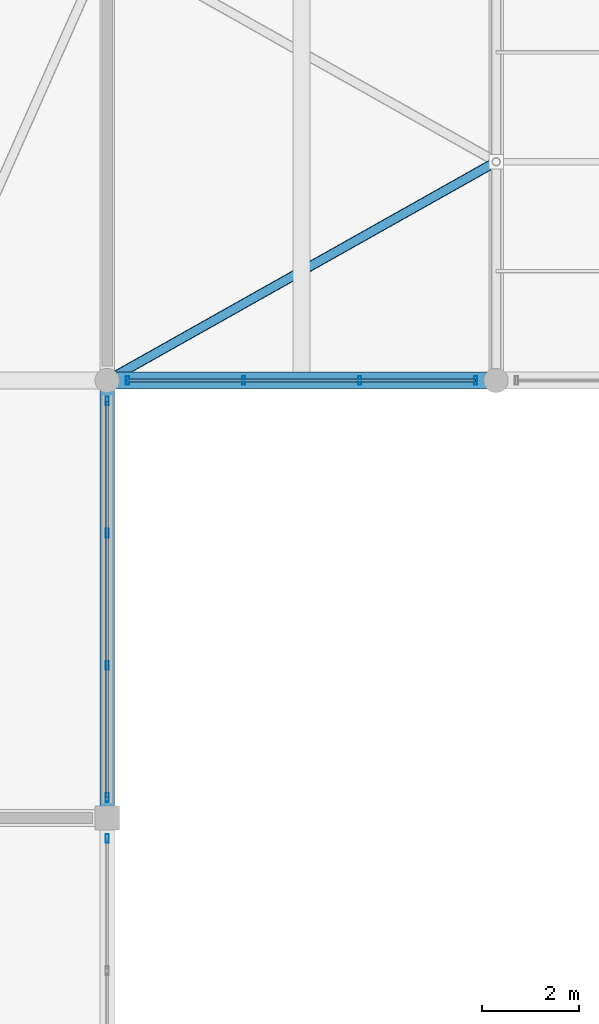
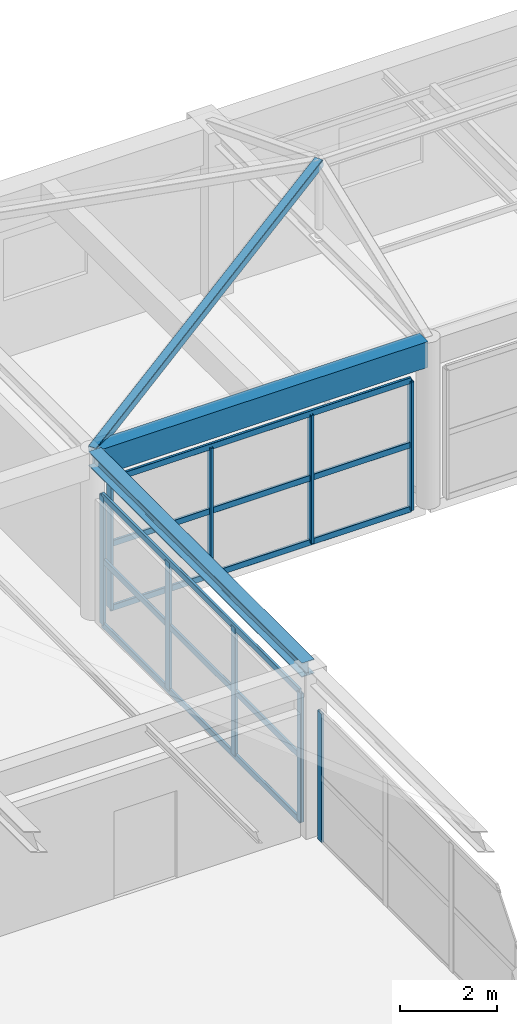
# One storey, part 28 of 65: 16 members, 2 beams, 3 elements without a shape of their own.
"""IFC4 building model written with IfcOpenShell, lengths in metres."""

import ifcopenshell
import ifcopenshell.guid

model = None  # the IFC model being written
_history = None  # IfcOwnerHistory: only IFC2X3 demands one
_inside = {}  # id of a spatial element -> (the spatial element, [elements in it])
_under = {}  # id of a project, library or spatial element -> (it, [spatial elements below it])
_declared = {}  # id of a project -> (the project, [libraries it declares])
_typed = {}  # id of a type object -> (the type object, [elements of that type])
_made_of = {}  # id of a material, layer set ... -> (it, [elements and type objects made of it])


def new_model(schema):
    """Start an empty IFC model of exactly this schema.

    Asked for "IFC4X3", IfcOpenShell would pick the latest addendum, in which some entities
    have other attributes; the version numbers below select the first issue.
    IFC2X3 requires an IfcOwnerHistory on every rooted entity: one is made here for all.
    """
    global model, _history
    if schema == "IFC4X3":
        model = ifcopenshell.file(schema_version=(4, 3, 0, 0))
    else:
        model = ifcopenshell.file(schema=schema)
    _inside.clear()
    _under.clear()
    _declared.clear()
    _typed.clear()
    _made_of.clear()
    _history = None
    if model.schema == "IFC2X3":
        org = make("IfcOrganization", Name="unknown")
        user = make(
            "IfcPersonAndOrganization",
            ThePerson=make("IfcPerson", FamilyName="unknown"),
            TheOrganization=org,
        )
        app = make(
            "IfcApplication",
            ApplicationDeveloper=org,
            Version="unknown",
            ApplicationFullName="unknown",
            ApplicationIdentifier="unknown",
        )
        _history = make(
            "IfcOwnerHistory",
            OwningUser=user,
            OwningApplication=app,
            ChangeAction="ADDED",
            CreationDate=0,
        )
    return model


def make(cls, **values):
    """One entity of the class cls with the attributes given. An attribute that is None is left unset."""
    return model.create_entity(
        cls, **{name: value for name, value in values.items() if value is not None}
    )


def rooted(cls, **values):
    """An entity with a GlobalId (a new one), such as an element, a storey or a relation."""
    return make(cls, GlobalId=ifcopenshell.guid.new(), OwnerHistory=_history, **values)


def si_unit(unit_type, name, prefix=None):
    """IfcSIUnit, for example si_unit("LENGTHUNIT", "METRE", prefix="MILLI")."""
    return make("IfcSIUnit", UnitType=unit_type, Prefix=prefix, Name=name)


def assignment(units):
    """IfcUnitAssignment: the units of a project."""
    return None if units is None else make("IfcUnitAssignment", Units=units)


def point(xyz):
    """IfcCartesianPoint."""
    return None if xyz is None else make("IfcCartesianPoint", Coordinates=xyz)


def direction(xyz):
    """IfcDirection."""
    return None if xyz is None else make("IfcDirection", DirectionRatios=xyz)


def frame(location, z_axis=None, x_axis=None):
    """IfcAxis2Placement3D, a coordinate frame: its origin and axes. An axis left out is left unset."""
    return make(
        "IfcAxis2Placement3D",
        Location=point(location),
        Axis=direction(z_axis),
        RefDirection=direction(x_axis),
    )


def frame_2d(location, x_axis=None):
    """IfcAxis2Placement2D, a coordinate frame in the plane: its origin and x axis."""
    return make(
        "IfcAxis2Placement2D", Location=point(location), RefDirection=direction(x_axis)
    )


def origin():
    """The frame at (0, 0, 0) with its axes left unset."""
    return frame((0.0, 0.0, 0.0))


def origin_2d():
    """The frame at (0, 0) in the plane with its x axis left unset."""
    return frame_2d((0.0, 0.0))


def place(relative_to, where):
    """IfcLocalPlacement: puts the frame where relative to a parent placement (None: the world)."""
    return make(
        "IfcLocalPlacement", PlacementRelTo=relative_to, RelativePlacement=where
    )


def context(
    kind, dimensions, precision=None, world=None, true_north=None, identifier=None
):
    """IfcGeometricRepresentationContext, for example the 3D "Model" context."""
    return make(
        "IfcGeometricRepresentationContext",
        ContextIdentifier=identifier,
        ContextType=kind,
        CoordinateSpaceDimension=dimensions,
        Precision=precision,
        WorldCoordinateSystem=world,
        TrueNorth=true_north,
    )


def subcontext(parent, identifier, kind, view, scale=None):
    """IfcGeometricRepresentationSubContext, for example "Body" below "Model"."""
    return make(
        "IfcGeometricRepresentationSubContext",
        ContextIdentifier=identifier,
        ContextType=kind,
        ParentContext=parent,
        TargetScale=scale,
        TargetView=view,
    )


def project(units=None, contexts=None):
    """IfcProject with its units and contexts."""
    return rooted(
        "IfcProject",
        Name="project",
        RepresentationContexts=contexts,
        UnitsInContext=assignment(units),
    )


def spatial(cls, under=None, at=None, **own):
    """A site, building, storey or space (cls), placed at a placement, below another one or the project."""
    s = rooted(cls, ObjectPlacement=at, **own)
    if under is not None:
        _under.setdefault(under.id(), (under, []))[1].append(s)
    return s


def profile(cls, at=None, kind="AREA", **sizes):
    """A parametric profile (cls). Its sizes go by their IFC names, for example OverallWidth=200.0."""
    return make(cls, ProfileType=kind, Position=at, **sizes)


def rectangle(**sizes):
    """IfcRectangleProfileDef."""
    return profile("IfcRectangleProfileDef", **sizes)


def hollow_rectangle(**sizes):
    """IfcRectangleHollowProfileDef."""
    return profile("IfcRectangleHollowProfileDef", **sizes)


def i_section(**sizes):
    """IfcIShapeProfileDef."""
    return profile("IfcIShapeProfileDef", **sizes)


def extrude(swept, where, along, depth):
    """IfcExtrudedAreaSolid: the profile swept, set in the frame where, extruded along a direction by depth."""
    return make(
        "IfcExtrudedAreaSolid",
        SweptArea=swept,
        Position=where,
        ExtrudedDirection=direction(along),
        Depth=depth,
    )


def shape(context_of_items, identifier, shape_type, items):
    """IfcShapeRepresentation: the items that make up one representation, for example the "Body"."""
    return make(
        "IfcShapeRepresentation",
        ContextOfItems=context_of_items,
        RepresentationIdentifier=identifier,
        RepresentationType=shape_type,
        Items=items,
    )


def material(Name=None, Category=None):
    """IfcMaterial."""
    return make("IfcMaterial", Name=Name, Category=Category)


def material_profile(
    of_material, cross_section, Name=None, Category=None, Priority=None
):
    """IfcMaterialProfile: a cross section and its material."""
    return make(
        "IfcMaterialProfile",
        Name=Name,
        Material=of_material,
        Profile=cross_section,
        Priority=Priority,
        Category=Category,
    )


def profile_set(profiles, Name=None, composite=None):
    """IfcMaterialProfileSet."""
    return make(
        "IfcMaterialProfileSet",
        Name=Name,
        MaterialProfiles=profiles,
        CompositeProfile=composite,
    )


def made_of(thing, what):
    """Note that an element or type object is made of a material, layer set ...; save() writes the relation."""
    if what is not None:
        _made_of.setdefault(what.id(), (what, []))[1].append(thing)
    return thing


def type_object(cls, material=None, **own):
    """A type object (cls), such as IfcWallType, which elements share."""
    return made_of(rooted(cls, **own), material)


def element(
    cls,
    number,
    at=None,
    inside=None,
    cuts=None,
    type_object=None,
    material=None,
    context=None,
    identifier="Body",
    shape_type=None,
    held_by="IfcProductDefinitionShape",
    body=None,
    shapes=None,
    **own,
):
    """One element of the class cls, such as IfcWall. Its Tag is "e" and its number.

    at: its placement. inside: the storey or other place that contains it. cuts: it is an
    opening in that element (IfcRelVoidsElement). A single representation is given by context,
    identifier, shape_type and body (its items); several are given by shapes. held_by: the class
    of the entity that holds the representations. save() writes the other relations.
    """
    e = rooted(cls, Tag="e%d" % number, ObjectPlacement=at, **own)
    if body is not None:
        shapes = [shape(context, identifier, shape_type, body)]
    if shapes is not None:
        e.Representation = make(held_by, Representations=shapes)
    if inside is not None:
        _inside.setdefault(inside.id(), (inside, []))[1].append(e)
    if cuts is not None:
        rooted(
            "IfcRelVoidsElement", RelatingBuildingElement=cuts, RelatedOpeningElement=e
        )
    if type_object is not None:
        _typed.setdefault(type_object.id(), (type_object, []))[1].append(e)
    return made_of(e, material)


def aggregate(whole, parts):
    """IfcRelAggregates: a whole, such as a stair, and the parts it consists of."""
    return rooted("IfcRelAggregates", RelatingObject=whole, RelatedObjects=parts)


def save(model, path):
    """Write the relations noted so far, then the file.

    IfcRelAggregates (storeys below a building ...), IfcRelContainedInSpatialStructure (elements
    in a storey), IfcRelDefinesByType, IfcRelAssociatesMaterial and IfcRelDeclares: one each for
    every whole, place, type object, material and project.
    """
    for whole, parts in _under.values():
        aggregate(whole, parts)
    for where, things in _inside.values():
        rooted(
            "IfcRelContainedInSpatialStructure",
            RelatedElements=things,
            RelatingStructure=where,
        )
    for kind, things in _typed.values():
        rooted("IfcRelDefinesByType", RelatedObjects=things, RelatingType=kind)
    for what, things in _made_of.values():
        rooted("IfcRelAssociatesMaterial", RelatedObjects=things, RelatingMaterial=what)
    for by, libraries in _declared.values():
        rooted("IfcRelDeclares", RelatingContext=by, RelatedDefinitions=libraries)
    model.write(path)


model = new_model("IFC4")

# Units and contexts
model_context = context("Model", 3, precision=1e-05, world=origin(), true_north=direction((0.0, 1.0)))
body_context = subcontext(model_context, "Body", "Model", "MODEL_VIEW")
ifc_project = project(units=[si_unit("LENGTHUNIT", "METRE"), si_unit("AREAUNIT", "SQUARE_METRE"), si_unit("VOLUMEUNIT", "CUBIC_METRE"), si_unit("PLANEANGLEUNIT", "RADIAN"), si_unit("MASSUNIT", "GRAM", prefix="KILO")], contexts=[model_context])

# Site, building, storey
site_placement = place(None, origin())
site = spatial("IfcSite", under=ifc_project, at=site_placement, CompositionType="ELEMENT")
building_placement = place(site_placement, origin())
building = spatial("IfcBuilding", under=site, at=building_placement, Name="Varnabhumi Central Station", CompositionType="ELEMENT")
storey_placement = place(building_placement, frame((0.0, 0.0, 24.60009765625)))
storey = spatial("IfcBuildingStorey", under=building, at=storey_placement, Name="L05", CompositionType="ELEMENT", Elevation=24.60009765625)

# Beams
ifc_material_1 = material(Name="Concrete M40", Category="concrete")
ifc_material_profile_1 = material_profile(ifc_material_1, rectangle(XDim=0.35009765625, YDim=0.64990234375, at=origin_2d()), Name="Concrete M40", Category="concrete")
ifc_profile_set_1 = profile_set([ifc_material_profile_1], Name="Concrete M40")
beam_type_1 = type_object("IfcBeamType", Name="BM-RC-350x650", PredefinedType="BEAM", material=ifc_profile_set_1)
beam_1_placement = place(storey_placement, frame((112.10009765625, 27.0, 3.875), z_axis=(1.0, 0.0, 0.0), x_axis=(0.0, 1.0, 0.0)))
element("IfcBeam", 1, at=beam_1_placement, inside=storey, type_object=beam_type_1, Name="Beam L05-D:15-16", PredefinedType="BEAM", context=body_context, shape_type="SweptSolid", body=[
    extrude(rectangle(XDim=0.35009765625, YDim=0.64990234375, at=origin_2d()), origin(), (0.0, 0.0, 1.0), 7.7998046875),
])
ifc_material_2 = material(Name="Structural steel E350", Category="steel")
ifc_material_profile_2 = material_profile(ifc_material_2, i_section(OverallWidth=0.300048828125, OverallDepth=0.360107421875, WebThickness=0.012451171875, FlangeThickness=0.0224609375, FilletRadius=0.027099609375, at=origin_2d()), Name="Structural steel E350", Category="steel")
ifc_profile_set_2 = profile_set([ifc_material_profile_2], Name="Structural steel E350")
beam_type_2 = type_object("IfcBeamType", Name="BM-STL-WPB360", PredefinedType="BEAM", material=ifc_profile_set_2)
beam_2_placement = place(storey_placement, frame((112.0, 18.10009765625, 4.02001953125), z_axis=(0.0, 1.0, 0.0), x_axis=(-1.0, 0.0, 0.0)))
element("IfcBeam", 2, at=beam_2_placement, inside=storey, type_object=beam_type_2, Name="Beam L05-15:C-D", PredefinedType="BEAM", context=body_context, shape_type="SweptSolid", body=[
    extrude(i_section(OverallWidth=0.300048828125, OverallDepth=0.360107421875, WebThickness=0.012451171875, FlangeThickness=0.0224609375, FilletRadius=0.027099609375, at=origin_2d()), origin(), (0.0, 0.0, 1.0), 8.7998046875),
])

# Curtain wall, member
ifc_material_3 = material(Name="Anodised aluminium 6063-T6", Category="aluminium")
curtain_wall_type = type_object("IfcCurtainWallType", Name="CW-PATIO-LOGGIA-L3", PredefinedType="NOTDEFINED", material=ifc_material_3)
curtain_wall_1_placement = place(storey_placement, origin())
curtain_wall_1 = element("IfcCurtainWall", 3, at=curtain_wall_1_placement, inside=storey, type_object=curtain_wall_type, Name="Curtain Wall CW-SP5E1", PredefinedType="NOTDEFINED")
ifc_material_profile_3 = material_profile(ifc_material_3, hollow_rectangle(XDim=0.06494140625, YDim=0.179931640625, WallThickness=0.00390625, InnerFilletRadius=0.001953125, OuterFilletRadius=0.006103515625, at=origin_2d()), Name="Anodised aluminium 6063-T6", Category="aluminium")
ifc_profile_set_3 = profile_set([ifc_material_profile_3], Name="Anodised aluminium 6063-T6")
member_type_1 = type_object("IfcMemberType", Name="CW-MUL-180", PredefinedType="MULLION", material=ifc_profile_set_3)
member_1_placement = place(storey_placement, frame((112.0, 17.580078125, 0.0), z_axis=(0.0, 0.0, 1.0), x_axis=(1.0, 0.0, 0.0)))
member_1 = element("IfcMember", 4, at=member_1_placement, type_object=member_type_1, Name="Curtain Wall Mullion CW-SP5E1-M4", PredefinedType="MULLION", context=body_context, shape_type="SweptSolid", body=[
    extrude(hollow_rectangle(XDim=0.06494140625, YDim=0.179931640625, WallThickness=0.00390625, InnerFilletRadius=0.001953125, OuterFilletRadius=0.006103515625, at=origin_2d()), origin(), (0.0, 0.0, 1.0), 3.239990234375),
])
aggregate(curtain_wall_1, [member_1])

# Curtain wall, members
curtain_wall_2_placement = place(storey_placement, origin())
curtain_wall_2 = element("IfcCurtainWall", 5, at=curtain_wall_2_placement, inside=storey, type_object=curtain_wall_type, Name="Curtain Wall CW-SP5E2", PredefinedType="NOTDEFINED")
member_2_placement = place(storey_placement, frame((112.0, 18.419921875, 0.0), z_axis=(0.0, 0.0, 1.0), x_axis=(1.0, 0.0, 0.0)))
member_2 = element("IfcMember", 6, at=member_2_placement, type_object=member_type_1, Name="Curtain Wall Mullion CW-SP5E2-M1", PredefinedType="MULLION", context=body_context, shape_type="SweptSolid", body=[
    extrude(hollow_rectangle(XDim=0.06494140625, YDim=0.179931640625, WallThickness=0.00390625, InnerFilletRadius=0.001953125, OuterFilletRadius=0.006103515625, at=origin_2d()), origin(), (0.0, 0.0, 1.0), 3.239990234375),
])
member_3_placement = place(storey_placement, frame((112.0, 21.139892578125, 0.0), z_axis=(0.0, 0.0, 1.0), x_axis=(1.0, 0.0, 0.0)))
member_3 = element("IfcMember", 7, at=member_3_placement, type_object=member_type_1, Name="Curtain Wall Mullion CW-SP5E2-M2", PredefinedType="MULLION", context=body_context, shape_type="SweptSolid", body=[
    extrude(hollow_rectangle(XDim=0.06494140625, YDim=0.179931640625, WallThickness=0.00390625, InnerFilletRadius=0.001953125, OuterFilletRadius=0.006103515625, at=origin_2d()), origin(), (0.0, 0.0, 1.0), 3.239990234375),
])
member_4_placement = place(storey_placement, frame((112.0, 23.860107421875, 0.0), z_axis=(0.0, 0.0, 1.0), x_axis=(1.0, 0.0, 0.0)))
member_4 = element("IfcMember", 8, at=member_4_placement, type_object=member_type_1, Name="Curtain Wall Mullion CW-SP5E2-M3", PredefinedType="MULLION", context=body_context, shape_type="SweptSolid", body=[
    extrude(hollow_rectangle(XDim=0.06494140625, YDim=0.179931640625, WallThickness=0.00390625, InnerFilletRadius=0.001953125, OuterFilletRadius=0.006103515625, at=origin_2d()), origin(), (0.0, 0.0, 1.0), 3.239990234375),
])
member_5_placement = place(storey_placement, frame((112.0, 26.580078125, 0.0), z_axis=(0.0, 0.0, 1.0), x_axis=(1.0, 0.0, 0.0)))
member_5 = element("IfcMember", 9, at=member_5_placement, type_object=member_type_1, Name="Curtain Wall Mullion CW-SP5E2-M4", PredefinedType="MULLION", context=body_context, shape_type="SweptSolid", body=[
    extrude(hollow_rectangle(XDim=0.06494140625, YDim=0.179931640625, WallThickness=0.00390625, InnerFilletRadius=0.001953125, OuterFilletRadius=0.006103515625, at=origin_2d()), origin(), (0.0, 0.0, 1.0), 3.239990234375),
])

curtain_wall_3_placement = place(storey_placement, origin())
curtain_wall_3 = element("IfcCurtainWall", 10, at=curtain_wall_3_placement, inside=storey, type_object=curtain_wall_type, Name="Curtain Wall CW-SP5N1", PredefinedType="NOTDEFINED")
member_6_placement = place(storey_placement, frame((112.419921875, 27.0, 0.0), z_axis=(0.0, 0.0, 1.0), x_axis=(1.0, 0.0, 0.0)))
member_6 = element("IfcMember", 11, at=member_6_placement, type_object=member_type_1, Name="Curtain Wall Mullion CW-SP5N1-M1", PredefinedType="MULLION", context=body_context, shape_type="SweptSolid", body=[
    extrude(hollow_rectangle(XDim=0.06494140625, YDim=0.179931640625, WallThickness=0.00390625, InnerFilletRadius=0.001953125, OuterFilletRadius=0.006103515625, at=origin_2d()), origin(), (0.0, 0.0, 1.0), 3.239990234375),
])
member_7_placement = place(storey_placement, frame((114.806640625, 27.0, 0.0), z_axis=(0.0, 0.0, 1.0), x_axis=(1.0, 0.0, 0.0)))
member_7 = element("IfcMember", 12, at=member_7_placement, type_object=member_type_1, Name="Curtain Wall Mullion CW-SP5N1-M2", PredefinedType="MULLION", context=body_context, shape_type="SweptSolid", body=[
    extrude(hollow_rectangle(XDim=0.06494140625, YDim=0.179931640625, WallThickness=0.00390625, InnerFilletRadius=0.001953125, OuterFilletRadius=0.006103515625, at=origin_2d()), origin(), (0.0, 0.0, 1.0), 3.239990234375),
])
member_8_placement = place(storey_placement, frame((117.193359375, 27.0, 0.0), z_axis=(0.0, 0.0, 1.0), x_axis=(1.0, 0.0, 0.0)))
member_8 = element("IfcMember", 13, at=member_8_placement, type_object=member_type_1, Name="Curtain Wall Mullion CW-SP5N1-M3", PredefinedType="MULLION", context=body_context, shape_type="SweptSolid", body=[
    extrude(hollow_rectangle(XDim=0.06494140625, YDim=0.179931640625, WallThickness=0.00390625, InnerFilletRadius=0.001953125, OuterFilletRadius=0.006103515625, at=origin_2d()), origin(), (0.0, 0.0, 1.0), 3.239990234375),
])
member_9_placement = place(storey_placement, frame((119.580078125, 27.0, 0.0), z_axis=(0.0, 0.0, 1.0), x_axis=(1.0, 0.0, 0.0)))
member_9 = element("IfcMember", 14, at=member_9_placement, type_object=member_type_1, Name="Curtain Wall Mullion CW-SP5N1-M4", PredefinedType="MULLION", context=body_context, shape_type="SweptSolid", body=[
    extrude(hollow_rectangle(XDim=0.06494140625, YDim=0.179931640625, WallThickness=0.00390625, InnerFilletRadius=0.001953125, OuterFilletRadius=0.006103515625, at=origin_2d()), origin(), (0.0, 0.0, 1.0), 3.239990234375),
])

# Member
ifc_material_profile_4 = material_profile(ifc_material_3, hollow_rectangle(XDim=0.06005859375, YDim=0.14990234375, WallThickness=0.00390625, InnerFilletRadius=0.001953125, OuterFilletRadius=0.006103515625, at=origin_2d()), Name="Anodised aluminium 6063-T6", Category="aluminium")
ifc_profile_set_4 = profile_set([ifc_material_profile_4], Name="Anodised aluminium 6063-T6")
member_type_2 = type_object("IfcMemberType", Name="CW-TR-150", PredefinedType="USERDEFINED", material=ifc_profile_set_4)
member_10_placement = place(storey_placement, frame((112.0, 18.419921875, 0.0), z_axis=(0.0, 1.0, 0.0), x_axis=(-1.0, 0.0, 0.0)))
member_10 = element("IfcMember", 15, at=member_10_placement, type_object=member_type_2, Name="Curtain Wall Transom CW-SP5E2-T1", ObjectType="TRANSOM", PredefinedType="USERDEFINED", context=body_context, shape_type="SweptSolid", body=[
    extrude(hollow_rectangle(XDim=0.06005859375, YDim=0.14990234375, WallThickness=0.00390625, InnerFilletRadius=0.001953125, OuterFilletRadius=0.006103515625, at=origin_2d()), origin(), (0.0, 0.0, 1.0), 8.16015625),
])

member_11_placement = place(storey_placement, frame((112.0, 18.419921875, 1.619873046875), z_axis=(0.0, 1.0, 0.0), x_axis=(-1.0, 0.0, 0.0)))
member_11 = element("IfcMember", 16, at=member_11_placement, type_object=member_type_2, Name="Curtain Wall Transom CW-SP5E2-T2", ObjectType="TRANSOM", PredefinedType="USERDEFINED", context=body_context, shape_type="SweptSolid", body=[
    extrude(hollow_rectangle(XDim=0.06005859375, YDim=0.14990234375, WallThickness=0.00390625, InnerFilletRadius=0.001953125, OuterFilletRadius=0.006103515625, at=origin_2d()), origin(), (0.0, 0.0, 1.0), 8.16015625),
])

member_12_placement = place(storey_placement, frame((112.0, 18.419921875, 3.239990234375), z_axis=(0.0, 1.0, 0.0), x_axis=(-1.0, 0.0, 0.0)))
member_12 = element("IfcMember", 17, at=member_12_placement, type_object=member_type_2, Name="Curtain Wall Transom CW-SP5E2-T3", ObjectType="TRANSOM", PredefinedType="USERDEFINED", context=body_context, shape_type="SweptSolid", body=[
    extrude(hollow_rectangle(XDim=0.06005859375, YDim=0.14990234375, WallThickness=0.00390625, InnerFilletRadius=0.001953125, OuterFilletRadius=0.006103515625, at=origin_2d()), origin(), (0.0, 0.0, 1.0), 8.16015625),
])

aggregate(curtain_wall_2, [member_2, member_3, member_4, member_5, member_10, member_11, member_12])

member_13_placement = place(storey_placement, frame((112.419921875, 27.0, 0.0), z_axis=(1.0, 0.0, 0.0), x_axis=(0.0, 1.0, 0.0)))
member_13 = element("IfcMember", 18, at=member_13_placement, type_object=member_type_2, Name="Curtain Wall Transom CW-SP5N1-T1", ObjectType="TRANSOM", PredefinedType="USERDEFINED", context=body_context, shape_type="SweptSolid", body=[
    extrude(hollow_rectangle(XDim=0.06005859375, YDim=0.14990234375, WallThickness=0.00390625, InnerFilletRadius=0.001953125, OuterFilletRadius=0.006103515625, at=origin_2d()), origin(), (0.0, 0.0, 1.0), 7.16015625),
])

member_14_placement = place(storey_placement, frame((112.419921875, 27.0, 1.619873046875), z_axis=(1.0, 0.0, 0.0), x_axis=(0.0, 1.0, 0.0)))
member_14 = element("IfcMember", 19, at=member_14_placement, type_object=member_type_2, Name="Curtain Wall Transom CW-SP5N1-T2", ObjectType="TRANSOM", PredefinedType="USERDEFINED", context=body_context, shape_type="SweptSolid", body=[
    extrude(hollow_rectangle(XDim=0.06005859375, YDim=0.14990234375, WallThickness=0.00390625, InnerFilletRadius=0.001953125, OuterFilletRadius=0.006103515625, at=origin_2d()), origin(), (0.0, 0.0, 1.0), 7.16015625),
])

member_15_placement = place(storey_placement, frame((112.419921875, 27.0, 3.239990234375), z_axis=(1.0, 0.0, 0.0), x_axis=(0.0, 1.0, 0.0)))
member_15 = element("IfcMember", 20, at=member_15_placement, type_object=member_type_2, Name="Curtain Wall Transom CW-SP5N1-T3", ObjectType="TRANSOM", PredefinedType="USERDEFINED", context=body_context, shape_type="SweptSolid", body=[
    extrude(hollow_rectangle(XDim=0.06005859375, YDim=0.14990234375, WallThickness=0.00390625, InnerFilletRadius=0.001953125, OuterFilletRadius=0.006103515625, at=origin_2d()), origin(), (0.0, 0.0, 1.0), 7.16015625),
])

aggregate(curtain_wall_3, [member_6, member_7, member_8, member_9, member_13, member_14, member_15])

ifc_material_profile_5 = material_profile(ifc_material_2, hollow_rectangle(XDim=0.199951171875, YDim=0.199951171875, WallThickness=0.010009765625, InnerFilletRadius=0.010009765625, OuterFilletRadius=0.02001953125, at=origin_2d()), Name="Structural steel E350", Category="steel")
ifc_profile_set_5 = profile_set([ifc_material_profile_5], Name="Structural steel E350")
member_type_3 = type_object("IfcMemberType", Name="MBR-RAFT-SHS200", PredefinedType="RAFTER", material=ifc_profile_set_5)
member_16_placement = place(storey_placement, frame((112.0, 27.0, 4.10986328125), z_axis=(0.856153773676, 0.481586497693, 0.187283637992), x_axis=(-0.490261239633, 0.871575537125, 0.0)))
element("IfcMember", 21, at=member_16_placement, inside=storey, type_object=member_type_3, Name="Mission Roof Hip Rafter SW6CN-ES", PredefinedType="RAFTER", context=body_context, shape_type="SweptSolid", body=[
    extrude(hollow_rectangle(XDim=0.199951171875, YDim=0.199951171875, WallThickness=0.010009765625, InnerFilletRadius=0.010009765625, OuterFilletRadius=0.02001953125, at=origin_2d()), origin(), (0.0, 0.0, 1.0), 9.343994140625),
])

save(model, "model.ifc")
